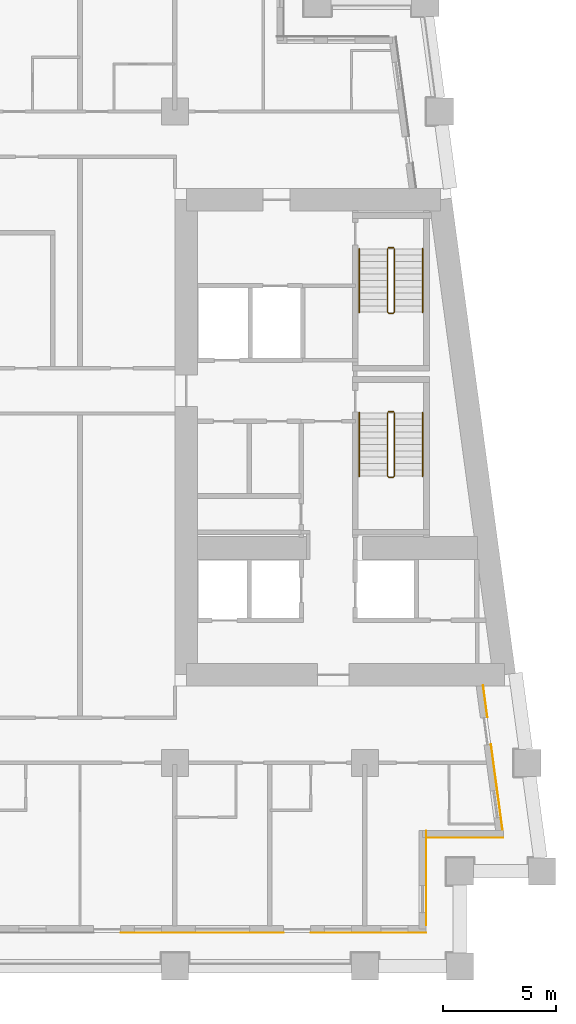
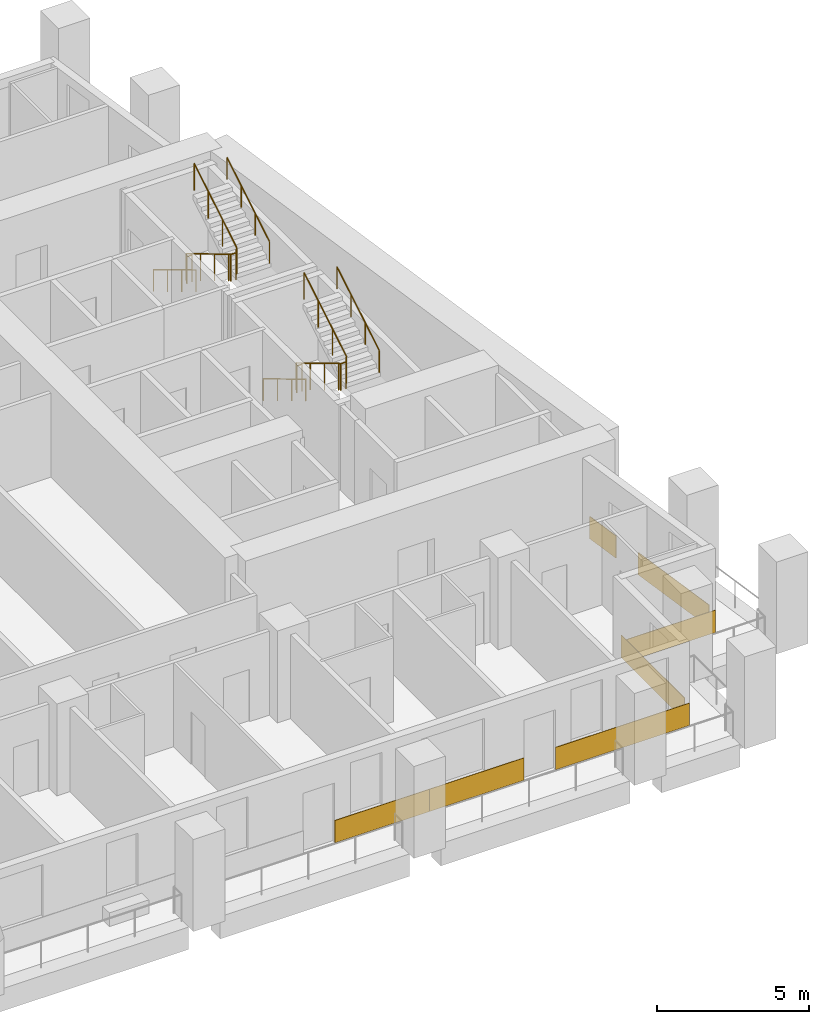
# One storey, part 11 of 13: 8 railings, 7 coverings.
"""IFC4 building model written with IfcOpenShell, lengths in metres."""

from ifc_helpers import new_model, si_unit, direction, frame, origin, origin_2d, place, context, subcontext, project, spatial, rectangle, circle, extrude, material, layer, layer_set, type_object, element, save


model = new_model("IFC4")

# Units and contexts
model_context = context("Model", 3, precision=1e-05, world=origin(), true_north=direction((0.0, 1.0)))
body_context = subcontext(model_context, "Body", "Model", "MODEL_VIEW")
ifc_project = project(units=[si_unit("LENGTHUNIT", "METRE"), si_unit("AREAUNIT", "SQUARE_METRE"), si_unit("VOLUMEUNIT", "CUBIC_METRE"), si_unit("PLANEANGLEUNIT", "RADIAN"), si_unit("MASSUNIT", "GRAM", prefix="KILO")], contexts=[model_context])

# Site, building, storey
site_placement = place(None, origin())
site = spatial("IfcSite", under=ifc_project, at=site_placement, CompositionType="ELEMENT")
building_placement = place(site_placement, origin())
building = spatial("IfcBuilding", under=site, at=building_placement, Name="Candeia Pilgrim Tower and Theatre", CompositionType="ELEMENT")
storey_placement = place(building_placement, frame((0.0, 0.0, 109.5)))
storey = spatial("IfcBuildingStorey", under=building, at=storey_placement, Name="L25", CompositionType="ELEMENT", Elevation=109.5)

# Coverings
ifc_material_1 = material(Name="Glazed ceramic tile red")
ifc_layer_1 = layer(ifc_material_1, 0.02001953125)
ifc_layer_set_1 = layer_set([ifc_layer_1], Name="Glazed ceramic tile red")
covering_type_1 = type_object("IfcCoveringType", Name="Glazed ceramic tile red", PredefinedType="CLADDING", material=ifc_layer_set_1)
covering_1_placement = place(storey_placement, frame((129.0, 99.489990234375, 0.0), z_axis=(0.0, 0.0, 1.0), x_axis=(1.0, 0.0, 0.0)))
element("IfcCovering", 1, at=covering_1_placement, inside=storey, type_object=covering_type_1, Name="Tile cladding red L25", PredefinedType="CLADDING", context=body_context, shape_type="SweptSolid", body=[
    extrude(rectangle(XDim=3.60009765625, YDim=0.02001953125, at=origin_2d()), origin(), (0.0, 0.0, 1.0), 0.89990234375),
])
covering_2_placement = place(storey_placement, frame((134.550048828125, 99.489990234375, 0.0), z_axis=(0.0, 0.0, 1.0), x_axis=(1.0, 0.0, 0.0)))
element("IfcCovering", 2, at=covering_2_placement, inside=storey, type_object=covering_type_1, Name="Tile cladding red L25", PredefinedType="CLADDING", context=body_context, shape_type="SweptSolid", body=[
    extrude(rectangle(XDim=5.10009765625, YDim=0.02001953125, at=origin_2d()), origin(), (0.0, 0.0, 1.0), 0.89990234375),
])
covering_3_placement = place(storey_placement, frame((137.110107421875, 101.909912109375, 0.0), z_axis=(0.0, 0.0, 1.0), x_axis=(0.0, 1.0, 0.0)))
element("IfcCovering", 3, at=covering_3_placement, inside=storey, type_object=covering_type_1, Name="Tile cladding red L25", PredefinedType="CLADDING", context=body_context, shape_type="SweptSolid", body=[
    extrude(rectangle(XDim=4.179931640625, YDim=0.02001953125, at=origin_2d()), origin(), (0.0, 0.0, 1.0), 0.89990234375),
])
covering_4_placement = place(storey_placement, frame((138.819580078125, 103.68994140625, 0.0), z_axis=(0.0, 0.0, 1.0), x_axis=(1.0, 0.0, 0.0)))
element("IfcCovering", 4, at=covering_4_placement, inside=storey, type_object=covering_type_1, Name="Tile cladding red L25", PredefinedType="CLADDING", context=body_context, shape_type="SweptSolid", body=[
    extrude(rectangle(XDim=3.399169921875, YDim=0.02001953125, at=origin_2d()), origin(), (0.0, 0.0, 1.0), 0.89990234375),
])
covering_5_placement = place(storey_placement, frame((140.228515625, 105.933349609375, 0.0), z_axis=(0.0, 0.0, 1.0), x_axis=(-0.133412012145, 0.991060661622, 0.0)))
element("IfcCovering", 5, at=covering_5_placement, inside=storey, type_object=covering_type_1, Name="Tile cladding red L25", PredefinedType="CLADDING", context=body_context, shape_type="SweptSolid", body=[
    extrude(rectangle(XDim=3.821044921875, YDim=0.02001953125, at=origin_2d()), origin(), (0.0, 0.0, 1.0), 0.89990234375),
])
covering_6_placement = place(storey_placement, frame((139.718994140625, 109.71875, 0.0), z_axis=(0.0, 0.0, 1.0), x_axis=(-0.133412012145, 0.991060661622, 0.0)))
element("IfcCovering", 6, at=covering_6_placement, inside=storey, type_object=covering_type_1, Name="Tile cladding red L25", PredefinedType="CLADDING", context=body_context, shape_type="SweptSolid", body=[
    extrude(rectangle(XDim=1.41796875, YDim=0.02001953125, at=origin_2d()), origin(), (0.0, 0.0, 1.0), 0.89990234375),
])
ifc_material_2 = material(Name="Glazed ceramic tile rust")
ifc_layer_2 = layer(ifc_material_2, 0.02001953125)
ifc_layer_set_2 = layer_set([ifc_layer_2], Name="Glazed ceramic tile rust")
covering_type_2 = type_object("IfcCoveringType", Name="Glazed ceramic tile rust", PredefinedType="CLADDING", material=ifc_layer_set_2)
covering_7_placement = place(storey_placement, frame((125.39990234375, 99.489990234375, 0.0), z_axis=(0.0, 0.0, 1.0), x_axis=(1.0, 0.0, 0.0)))
element("IfcCovering", 7, at=covering_7_placement, inside=storey, type_object=covering_type_2, Name="Tile cladding rust L25", PredefinedType="CLADDING", context=body_context, shape_type="SweptSolid", body=[
    extrude(rectangle(XDim=3.60009765625, YDim=0.02001953125, at=origin_2d()), origin(), (0.0, 0.0, 1.0), 0.89990234375),
])

# Railings
ifc_material_3 = material(Name="Stainless steel balustrade", Category="steel")
railing_type_1 = type_object("IfcRailingType", Name="RL-GUARD-1100", PredefinedType="GUARDRAIL", material=ifc_material_3)
railing_1_placement = place(storey_placement, frame((135.39794921875, 122.47509765625, 0.168212890625)))
element("IfcRailing", 8, at=railing_1_placement, inside=storey, type_object=railing_type_1, Name="L25 ST3 stair guard 1", PredefinedType="GUARDRAIL", context=body_context, shape_type="SweptSolid", body=[
    extrude(circle(Radius=0.02392578125, at=origin_2d()), frame((0.0, 0.0, 1.076171875), z_axis=(0.0, -0.857242210791, 0.514913383045), x_axis=(1.0, 0.0, 0.0)), (0.0, 0.0, 1.0), 3.266357421875),
    extrude(circle(Radius=0.02392578125, at=origin_2d()), frame((0.0, -2.800048828125, 2.7578125), z_axis=(0.707106781187, -0.707106781187, 0.0), x_axis=(0.707106781187, 0.707106781187, 0.0)), (0.0, 0.0, 1.0), 0.07080078125),
    extrude(circle(Radius=0.02392578125, at=origin_2d()), frame((0.050048828125, -2.85009765625, 2.7578125), z_axis=(1.0, 0.0, 0.0), x_axis=(0.0, 1.0, 0.0)), (0.0, 0.0, 1.0), 0.199951171875),
    extrude(circle(Radius=0.02392578125, at=origin_2d()), frame((0.25, -2.85009765625, 2.7578125), z_axis=(0.274582412415, 0.274582412415, 0.921525364591), x_axis=(-0.707106781187, 0.707106781187, 0.0)), (0.0, 0.0, 1.0), 0.182373046875),
    extrude(circle(Radius=0.02392578125, at=origin_2d()), frame((0.300048828125, -2.800048828125, 2.92578125), z_axis=(0.0, 0.857242210791, 0.514913383045), x_axis=(-1.0, 0.0, 0.0)), (0.0, 0.0, 1.0), 3.266357421875),
    extrude(circle(Radius=0.02099609375, at=origin_2d()), origin(), (0.0, 0.0, 1.0), 1.052001953125),
    extrude(circle(Radius=0.02099609375, at=origin_2d()), frame((0.0, -0.933349609375, 0.560546875)), (0.0, 0.0, 1.0), 1.052001953125),
    extrude(circle(Radius=0.02099609375, at=origin_2d()), frame((0.0, -1.86669921875, 1.121337890625)), (0.0, 0.0, 1.0), 1.052001953125),
    extrude(circle(Radius=0.02099609375, at=origin_2d()), frame((0.0, -2.800048828125, 1.681884765625)), (0.0, 0.0, 1.0), 1.052001953125),
    extrude(circle(Radius=0.02099609375, at=origin_2d()), frame((0.050048828125, -2.85009765625, 1.681884765625)), (0.0, 0.0, 1.0), 1.052001953125),
    extrude(circle(Radius=0.02099609375, at=origin_2d()), frame((0.25, -2.85009765625, 1.681884765625)), (0.0, 0.0, 1.0), 1.052001953125),
    extrude(circle(Radius=0.02099609375, at=origin_2d()), frame((0.300048828125, -2.800048828125, 1.849853515625)), (0.0, 0.0, 1.0), 1.052001953125),
    extrude(circle(Radius=0.02099609375, at=origin_2d()), frame((0.300048828125, -1.86669921875, 2.410400390625)), (0.0, 0.0, 1.0), 1.052001953125),
    extrude(circle(Radius=0.02099609375, at=origin_2d()), frame((0.300048828125, -0.933349609375, 2.97119140625)), (0.0, 0.0, 1.0), 1.052001953125),
    extrude(circle(Radius=0.02099609375, at=origin_2d()), frame((0.300048828125, 0.0, 3.53173828125)), (0.0, 0.0, 1.0), 1.052001953125),
])
railing_2_placement = place(storey_placement, frame((135.447998046875, 122.52490234375, 0.0)))
element("IfcRailing", 9, at=railing_2_placement, inside=storey, type_object=railing_type_1, Name="L25 ST3 stair guard 2", PredefinedType="GUARDRAIL", context=body_context, shape_type="SweptSolid", body=[
    extrude(circle(Radius=0.02392578125, at=origin_2d()), frame((0.0, 0.0, 1.076171875), z_axis=(1.0, 0.0, 0.0), x_axis=(0.0, 1.0, 0.0)), (0.0, 0.0, 1.0), 0.199951171875),
    extrude(circle(Radius=0.02099609375, at=origin_2d()), origin(), (0.0, 0.0, 1.0), 1.052001953125),
    extrude(circle(Radius=0.02099609375, at=origin_2d()), frame((0.199951171875, 0.0, 0.0)), (0.0, 0.0, 1.0), 1.052001953125),
])
railing_3_placement = place(storey_placement, frame((135.39794921875, 129.72509765625, 0.168212890625)))
element("IfcRailing", 10, at=railing_3_placement, inside=storey, type_object=railing_type_1, Name="L25 ST4 stair guard 1", PredefinedType="GUARDRAIL", context=body_context, shape_type="SweptSolid", body=[
    extrude(circle(Radius=0.02392578125, at=origin_2d()), frame((0.0, 0.0, 1.076171875), z_axis=(0.0, -0.857242210791, 0.514913383045), x_axis=(1.0, 0.0, 0.0)), (0.0, 0.0, 1.0), 3.266357421875),
    extrude(circle(Radius=0.02392578125, at=origin_2d()), frame((0.0, -2.800048828125, 2.7578125), z_axis=(0.707106781187, -0.707106781187, 0.0), x_axis=(0.707106781187, 0.707106781187, 0.0)), (0.0, 0.0, 1.0), 0.07080078125),
    extrude(circle(Radius=0.02392578125, at=origin_2d()), frame((0.050048828125, -2.85009765625, 2.7578125), z_axis=(1.0, 0.0, 0.0), x_axis=(0.0, 1.0, 0.0)), (0.0, 0.0, 1.0), 0.199951171875),
    extrude(circle(Radius=0.02392578125, at=origin_2d()), frame((0.25, -2.85009765625, 2.7578125), z_axis=(0.274582412415, 0.274582412415, 0.921525364591), x_axis=(-0.707106781187, 0.707106781187, 0.0)), (0.0, 0.0, 1.0), 0.182373046875),
    extrude(circle(Radius=0.02392578125, at=origin_2d()), frame((0.300048828125, -2.800048828125, 2.92578125), z_axis=(0.0, 0.857242210791, 0.514913383045), x_axis=(-1.0, 0.0, 0.0)), (0.0, 0.0, 1.0), 3.266357421875),
    extrude(circle(Radius=0.02099609375, at=origin_2d()), origin(), (0.0, 0.0, 1.0), 1.052001953125),
    extrude(circle(Radius=0.02099609375, at=origin_2d()), frame((0.0, -0.933349609375, 0.560546875)), (0.0, 0.0, 1.0), 1.052001953125),
    extrude(circle(Radius=0.02099609375, at=origin_2d()), frame((0.0, -1.86669921875, 1.121337890625)), (0.0, 0.0, 1.0), 1.052001953125),
    extrude(circle(Radius=0.02099609375, at=origin_2d()), frame((0.0, -2.800048828125, 1.681884765625)), (0.0, 0.0, 1.0), 1.052001953125),
    extrude(circle(Radius=0.02099609375, at=origin_2d()), frame((0.050048828125, -2.85009765625, 1.681884765625)), (0.0, 0.0, 1.0), 1.052001953125),
    extrude(circle(Radius=0.02099609375, at=origin_2d()), frame((0.25, -2.85009765625, 1.681884765625)), (0.0, 0.0, 1.0), 1.052001953125),
    extrude(circle(Radius=0.02099609375, at=origin_2d()), frame((0.300048828125, -2.800048828125, 1.849853515625)), (0.0, 0.0, 1.0), 1.052001953125),
    extrude(circle(Radius=0.02099609375, at=origin_2d()), frame((0.300048828125, -1.86669921875, 2.410400390625)), (0.0, 0.0, 1.0), 1.052001953125),
    extrude(circle(Radius=0.02099609375, at=origin_2d()), frame((0.300048828125, -0.933349609375, 2.97119140625)), (0.0, 0.0, 1.0), 1.052001953125),
    extrude(circle(Radius=0.02099609375, at=origin_2d()), frame((0.300048828125, 0.0, 3.53173828125)), (0.0, 0.0, 1.0), 1.052001953125),
])
railing_4_placement = place(storey_placement, frame((135.447998046875, 129.77490234375, 0.0)))
element("IfcRailing", 11, at=railing_4_placement, inside=storey, type_object=railing_type_1, Name="L25 ST4 stair guard 2", PredefinedType="GUARDRAIL", context=body_context, shape_type="SweptSolid", body=[
    extrude(circle(Radius=0.02392578125, at=origin_2d()), frame((0.0, 0.0, 1.076171875), z_axis=(1.0, 0.0, 0.0), x_axis=(0.0, 1.0, 0.0)), (0.0, 0.0, 1.0), 0.199951171875),
    extrude(circle(Radius=0.02099609375, at=origin_2d()), origin(), (0.0, 0.0, 1.0), 1.052001953125),
    extrude(circle(Radius=0.02099609375, at=origin_2d()), frame((0.199951171875, 0.0, 0.0)), (0.0, 0.0, 1.0), 1.052001953125),
])
ifc_material_4 = material(Name="Stainless steel handrail", Category="steel")
railing_type_2 = type_object("IfcRailingType", Name="RL-HANDRAIL-900", PredefinedType="HANDRAIL", material=ifc_material_4)
railing_5_placement = place(storey_placement, frame((134.14794921875, 122.47509765625, 0.168212890625)))
element("IfcRailing", 12, at=railing_5_placement, inside=storey, type_object=railing_type_2, Name="L25 ST3 stair handrail 1", PredefinedType="HANDRAIL", context=body_context, shape_type="SweptSolid", body=[
    extrude(circle(Radius=0.02392578125, at=origin_2d()), frame((0.0, 0.0, 0.8759765625), z_axis=(0.0, -0.857242210791, 0.514913383045), x_axis=(1.0, 0.0, 0.0)), (0.0, 0.0, 1.0), 3.266357421875),
    extrude(circle(Radius=0.02099609375, at=origin_2d()), origin(), (0.0, 0.0, 1.0), 0.851806640625),
    extrude(circle(Radius=0.02099609375, at=origin_2d()), frame((0.0, -0.933349609375, 0.560546875)), (0.0, 0.0, 1.0), 0.851806640625),
    extrude(circle(Radius=0.02099609375, at=origin_2d()), frame((0.0, -1.86669921875, 1.121337890625)), (0.0, 0.0, 1.0), 0.851806640625),
    extrude(circle(Radius=0.02099609375, at=origin_2d()), frame((0.0, -2.800048828125, 1.681884765625)), (0.0, 0.0, 1.0), 0.851806640625),
])
railing_6_placement = place(storey_placement, frame((136.947998046875, 119.675048828125, 2.01806640625)))
element("IfcRailing", 13, at=railing_6_placement, inside=storey, type_object=railing_type_2, Name="L25 ST3 stair handrail 2", PredefinedType="HANDRAIL", context=body_context, shape_type="SweptSolid", body=[
    extrude(circle(Radius=0.02392578125, at=origin_2d()), frame((0.0, 0.0, 0.8759765625), z_axis=(0.0, 0.857242210791, 0.514913383045), x_axis=(-1.0, 0.0, 0.0)), (0.0, 0.0, 1.0), 3.266357421875),
    extrude(circle(Radius=0.02099609375, at=origin_2d()), origin(), (0.0, 0.0, 1.0), 0.851806640625),
    extrude(circle(Radius=0.02099609375, at=origin_2d()), frame((0.0, 0.933349609375, 0.560546875)), (0.0, 0.0, 1.0), 0.851806640625),
    extrude(circle(Radius=0.02099609375, at=origin_2d()), frame((0.0, 1.86669921875, 1.121337890625)), (0.0, 0.0, 1.0), 0.851806640625),
    extrude(circle(Radius=0.02099609375, at=origin_2d()), frame((0.0, 2.800048828125, 1.681884765625)), (0.0, 0.0, 1.0), 0.851806640625),
])
railing_7_placement = place(storey_placement, frame((134.14794921875, 129.72509765625, 0.168212890625)))
element("IfcRailing", 14, at=railing_7_placement, inside=storey, type_object=railing_type_2, Name="L25 ST4 stair handrail 1", PredefinedType="HANDRAIL", context=body_context, shape_type="SweptSolid", body=[
    extrude(circle(Radius=0.02392578125, at=origin_2d()), frame((0.0, 0.0, 0.8759765625), z_axis=(0.0, -0.857242210791, 0.514913383045), x_axis=(1.0, 0.0, 0.0)), (0.0, 0.0, 1.0), 3.266357421875),
    extrude(circle(Radius=0.02099609375, at=origin_2d()), origin(), (0.0, 0.0, 1.0), 0.851806640625),
    extrude(circle(Radius=0.02099609375, at=origin_2d()), frame((0.0, -0.933349609375, 0.560546875)), (0.0, 0.0, 1.0), 0.851806640625),
    extrude(circle(Radius=0.02099609375, at=origin_2d()), frame((0.0, -1.86669921875, 1.121337890625)), (0.0, 0.0, 1.0), 0.851806640625),
    extrude(circle(Radius=0.02099609375, at=origin_2d()), frame((0.0, -2.800048828125, 1.681884765625)), (0.0, 0.0, 1.0), 0.851806640625),
])
railing_8_placement = place(storey_placement, frame((136.947998046875, 126.925048828125, 2.01806640625)))
element("IfcRailing", 15, at=railing_8_placement, inside=storey, type_object=railing_type_2, Name="L25 ST4 stair handrail 2", PredefinedType="HANDRAIL", context=body_context, shape_type="SweptSolid", body=[
    extrude(circle(Radius=0.02392578125, at=origin_2d()), frame((0.0, 0.0, 0.8759765625), z_axis=(0.0, 0.857242210791, 0.514913383045), x_axis=(-1.0, 0.0, 0.0)), (0.0, 0.0, 1.0), 3.266357421875),
    extrude(circle(Radius=0.02099609375, at=origin_2d()), origin(), (0.0, 0.0, 1.0), 0.851806640625),
    extrude(circle(Radius=0.02099609375, at=origin_2d()), frame((0.0, 0.933349609375, 0.560546875)), (0.0, 0.0, 1.0), 0.851806640625),
    extrude(circle(Radius=0.02099609375, at=origin_2d()), frame((0.0, 1.86669921875, 1.121337890625)), (0.0, 0.0, 1.0), 0.851806640625),
    extrude(circle(Radius=0.02099609375, at=origin_2d()), frame((0.0, 2.800048828125, 1.681884765625)), (0.0, 0.0, 1.0), 0.851806640625),
])

save(model, "model.ifc")
